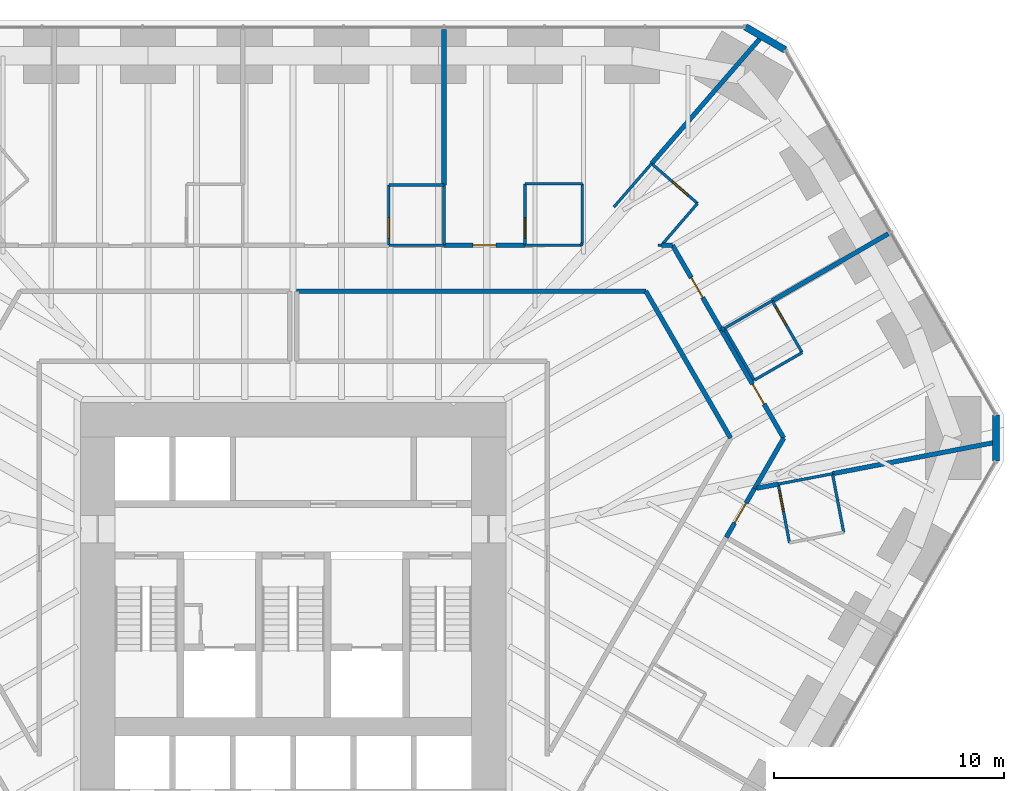
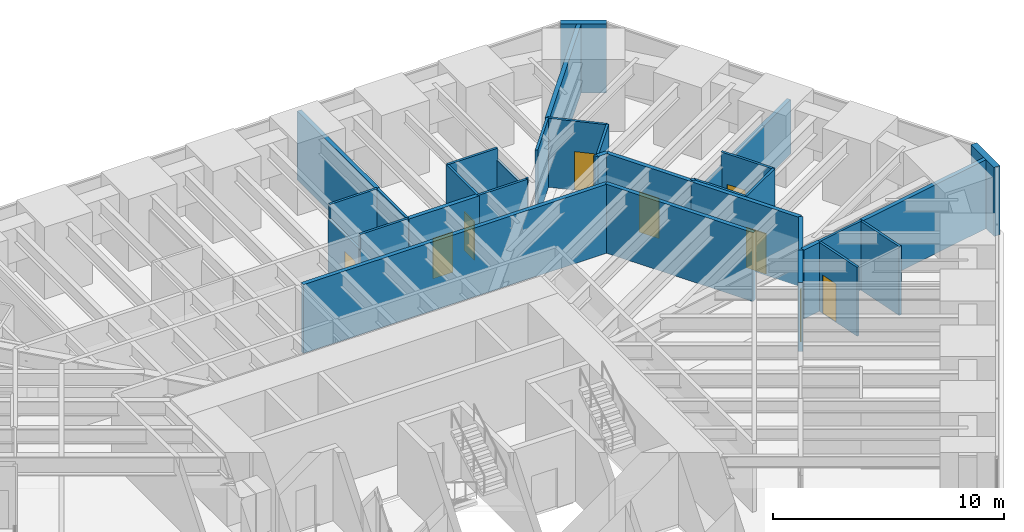
# One storey, part 15 of 17: 36 walls, 9 doors, 9 openings.
"""IFC4 building model written with IfcOpenShell, lengths in metres."""

from ifc_helpers import new_model, si_unit, direction, frame, frame_2d, origin, place, context, subcontext, project, spatial, rectangle, extrude, material, layer, layer_set, type_object, element, fill, save


model = new_model("IFC4")

# Units and contexts
model_context = context("Model", 3, precision=1e-05, world=origin(), true_north=direction((0.0, 1.0)))
body_context = subcontext(model_context, "Body", "Model", "MODEL_VIEW")
ifc_project = project(units=[si_unit("LENGTHUNIT", "METRE"), si_unit("AREAUNIT", "SQUARE_METRE"), si_unit("VOLUMEUNIT", "CUBIC_METRE"), si_unit("PLANEANGLEUNIT", "RADIAN"), si_unit("MASSUNIT", "GRAM", prefix="KILO")], contexts=[model_context])

# Site, building, storey
site_placement = place(None, origin())
site = spatial("IfcSite", under=ifc_project, at=site_placement, CompositionType="ELEMENT")
building_placement = place(site_placement, origin())
building = spatial("IfcBuilding", under=site, at=building_placement, Name="Sandreach Pilgrim Tower", CompositionType="ELEMENT")
storey_placement = place(building_placement, frame((0.0, 0.0, 38.199951171875)))
storey = spatial("IfcBuildingStorey", under=building, at=storey_placement, Name="L08", CompositionType="ELEMENT", Elevation=38.199951171875)

# Wall, opening, door
ifc_material_1 = material(Name="Moisture-resistant gypsum board on steel studs", Category="steel")
ifc_layer_1 = layer(ifc_material_1, 0.1201171875)
ifc_layer_set_1 = layer_set([ifc_layer_1], Name="Bathroom partition 120")
wall_type_1 = type_object("IfcWallType", Name="Bathroom partition 120", PredefinedType="PARTITIONING", material=ifc_layer_set_1)
wall_1_placement = place(storey_placement, frame((4.159912109375, 17.070068359375, 0.0), z_axis=(0.0, 0.0, 1.0), x_axis=(0.0, -1.0, 0.0)))
wall_1 = element("IfcWall", 1, at=wall_1_placement, inside=storey, type_object=wall_type_1, Name="Bathroom partition L08-078", PredefinedType="PARTITIONING", context=body_context, shape_type="SweptSolid", body=[
    extrude(rectangle(XDim=2.6201171875, YDim=0.1201171875, at=frame_2d((1.31005859375, 0.0))), origin(), (0.0, 0.0, 1.0), 2.8779296875),
])
opening_1_placement = place(wall_1_placement, frame((1.419921875, 0.0, 0.0)))
opening_1 = element("IfcOpeningElement", 2, at=opening_1_placement, cuts=wall_1, Name="Opening D09-03B", PredefinedType="OPENING", context=body_context, shape_type="SweptSolid", body=[
    extrude(rectangle(XDim=0.89990234375, YDim=2.030029296875, at=frame_2d((0.449951171875, 1.01513671875))), frame((0.0, 0.06005859375, 0.0), z_axis=(0.0, -1.0, 0.0), x_axis=(1.0, 0.0, 0.0)), (0.0, 0.0, 1.0), 0.1201171875),
])
ifc_material_2 = material(Name="Timber door, steel frame", Category="steel")
door_type_1 = type_object("IfcDoorType", Name="Bathroom door", OperationType="SINGLE_SWING_LEFT", PredefinedType="DOOR", material=ifc_material_2)
door_1_placement = place(opening_1_placement, origin())
door_1 = element("IfcDoor", 3, at=door_1_placement, inside=storey, type_object=door_type_1, Name="Door 0803B", OperationType="SINGLE_SWING_RIGHT", OverallHeight=2.030029296875, OverallWidth=0.89990234375, PredefinedType="DOOR", context=body_context, shape_type="SweptSolid", body=[
    extrude(rectangle(XDim=0.89990234375, YDim=2.030029296875, at=frame_2d((0.449951171875, 1.01513671875))), frame((0.0, 0.02490234375, 0.0), z_axis=(0.0, -1.0, 0.0), x_axis=(1.0, 0.0, 0.0)), (0.0, 0.0, 1.0), 0.050048828125),
])
fill(opening_1, door_1)

# Walls
for number, where, z_axis, x_axis, name in (
    (4, (6.56005859375, 14.449951171875, 0.0), (0.0, 0.0, 1.0), (-1.0, 0.0, 0.0), "Bathroom partition L08-083"),
    (5, (6.56005859375, 17.070068359375, 0.0), (0.0, 0.0, 1.0), (-1.0, 0.0, 0.0), "Bathroom partition L08-084"),
):
    element("IfcWall", number, at=place(storey_placement, frame(where, z_axis=z_axis, x_axis=x_axis)), inside=storey, type_object=wall_type_1, Name=name, PredefinedType="PARTITIONING", context=body_context, shape_type="SweptSolid", body=[
        extrude(rectangle(XDim=2.400146484375, YDim=0.1201171875, at=frame_2d((1.2001953125, 0.0))), origin(), (0.0, 0.0, 1.0), 3.64013671875),
    ])
wall_2_placement = place(storey_placement, frame((6.56005859375, 17.070068359375, 0.0), z_axis=(0.0, 0.0, 1.0), x_axis=(0.0, -1.0, 0.0)))
element("IfcWall", 6, at=wall_2_placement, inside=storey, type_object=wall_type_1, Name="Bathroom partition L08-085", PredefinedType="PARTITIONING", context=body_context, shape_type="SweptSolid", body=[
    extrude(rectangle(XDim=2.6201171875, YDim=0.1201171875, at=frame_2d((1.31005859375, 0.0))), origin(), (0.0, 0.0, 1.0), 3.64013671875),
])

# Wall, opening, door
wall_3_placement = place(storey_placement, frame((10.080078125, 17.1201171875, 0.0), z_axis=(0.0, 0.0, 1.0), x_axis=(0.0, -1.0, 0.0)))
wall_3 = element("IfcWall", 7, at=wall_3_placement, inside=storey, type_object=wall_type_1, Name="Bathroom partition L08-100", PredefinedType="PARTITIONING", context=body_context, shape_type="SweptSolid", body=[
    extrude(rectangle(XDim=2.670166015625, YDim=0.1201171875, at=frame_2d((1.3349609375, 0.0))), origin(), (0.0, 0.0, 1.0), 3.64013671875),
])
opening_2_placement = place(wall_3_placement, frame((1.469970703125, 0.0, 0.0)))
opening_2 = element("IfcOpeningElement", 8, at=opening_2_placement, cuts=wall_3, Name="Opening D09-04B", PredefinedType="OPENING", context=body_context, shape_type="SweptSolid", body=[
    extrude(rectangle(XDim=0.89990234375, YDim=2.030029296875, at=frame_2d((0.449951171875, 1.01513671875))), frame((0.0, 0.06005859375, 0.0), z_axis=(0.0, -1.0, 0.0), x_axis=(1.0, 0.0, 0.0)), (0.0, 0.0, 1.0), 0.1201171875),
])
door_2_placement = place(opening_2_placement, origin())
door_2 = element("IfcDoor", 9, at=door_2_placement, inside=storey, type_object=door_type_1, Name="Door 0804B", OperationType="SINGLE_SWING_RIGHT", OverallHeight=2.030029296875, OverallWidth=0.89990234375, PredefinedType="DOOR", context=body_context, shape_type="SweptSolid", body=[
    extrude(rectangle(XDim=0.89990234375, YDim=2.030029296875, at=frame_2d((0.449951171875, 1.01513671875))), frame((0.0, 0.02490234375, 0.0), z_axis=(0.0, -1.0, 0.0), x_axis=(1.0, 0.0, 0.0)), (0.0, 0.0, 1.0), 0.050048828125),
])
fill(opening_2, door_2)

# Walls
wall_4_placement = place(storey_placement, frame((12.510009765625, 14.449951171875, 0.0), z_axis=(0.0, 0.0, 1.0), x_axis=(-1.0, 0.0, 0.0)))
element("IfcWall", 10, at=wall_4_placement, inside=storey, type_object=wall_type_1, Name="Bathroom partition L08-112", PredefinedType="PARTITIONING", context=body_context, shape_type="SweptSolid", body=[
    extrude(rectangle(XDim=2.429931640625, YDim=0.1201171875, at=frame_2d((1.21484375, 0.0))), origin(), (0.0, 0.0, 1.0), 3.64013671875),
])
wall_5_placement = place(storey_placement, frame((12.580078125, 14.530029296875, 0.0), z_axis=(0.0, 0.0, 1.0), x_axis=(-0.658504607869, -0.752576694707, 0.0)))
element("IfcWall", 11, at=wall_5_placement, inside=storey, type_object=wall_type_1, Name="Bathroom partition L08-113", PredefinedType="PARTITIONING", context=body_context, shape_type="SweptSolid", body=[
    extrude(rectangle(XDim=0.1064453125, YDim=0.1201171875, at=frame_2d((0.05322265625, 0.0))), origin(), (0.0, 0.0, 1.0), 3.64013671875),
])
wall_6_placement = place(storey_placement, frame((12.580078125, 14.530029296875, 0.0), z_axis=(0.0, 0.0, 1.0), x_axis=(0.0, 1.0, 0.0)))
element("IfcWall", 12, at=wall_6_placement, inside=storey, type_object=wall_type_1, Name="Bathroom partition L08-114", PredefinedType="PARTITIONING", context=body_context, shape_type="SweptSolid", body=[
    extrude(rectangle(XDim=2.590087890625, YDim=0.1201171875, at=frame_2d((1.294921875, 0.0))), origin(), (0.0, 0.0, 1.0), 3.0380859375),
])
wall_7_placement = place(storey_placement, frame((12.580078125, 17.1201171875, 0.0), z_axis=(0.0, 0.0, 1.0), x_axis=(-1.0, 0.0, 0.0)))
element("IfcWall", 13, at=wall_7_placement, inside=storey, type_object=wall_type_1, Name="Bathroom partition L08-115", PredefinedType="PARTITIONING", context=body_context, shape_type="SweptSolid", body=[
    extrude(rectangle(XDim=2.5, YDim=0.1201171875, at=frame_2d((1.25, 0.0))), origin(), (0.0, 0.0, 1.0), 3.64013671875),
])
wall_8_placement = place(storey_placement, frame((13.949951171875, 16.10986328125, 0.0), z_axis=(0.0, 0.0, 1.0), x_axis=(0.655390967201, 0.75528979876, 0.0)))
element("IfcWall", 14, at=wall_8_placement, inside=storey, type_object=wall_type_1, Name="Bathroom partition L08-117", PredefinedType="PARTITIONING", context=body_context, shape_type="SweptSolid", body=[
    extrude(rectangle(XDim=2.50244140625, YDim=0.1201171875, at=frame_2d((1.251220703125, 0.0))), origin(), (0.0, 0.0, 1.0), 3.64013671875),
])
wall_9_placement = place(storey_placement, frame((16.02001953125, 14.449951171875, 0.0), z_axis=(0.0, 0.0, 1.0), x_axis=(-1.0, 0.0, 0.0)))
element("IfcWall", 15, at=wall_9_placement, inside=storey, type_object=wall_type_1, Name="Bathroom partition L08-123", PredefinedType="PARTITIONING", context=body_context, shape_type="SweptSolid", body=[
    extrude(rectangle(XDim=0.14990234375, YDim=0.1201171875, at=frame_2d((0.074951171875, 0.0))), origin(), (0.0, 0.0, 1.0), 3.64013671875),
])
wall_10_placement = place(storey_placement, frame((16.08203125, 14.52197265625, 0.0), z_axis=(0.0, 0.0, 1.0), x_axis=(0.653217802971, 0.757170061401, 0.0)))
element("IfcWall", 16, at=wall_10_placement, inside=storey, type_object=wall_type_1, Name="Bathroom partition L08-124", PredefinedType="PARTITIONING", context=body_context, shape_type="SweptSolid", body=[
    extrude(rectangle(XDim=2.30859375, YDim=0.1201171875, at=frame_2d((1.154296875, 0.0))), origin(), (0.0, 0.0, 1.0), 3.64013671875),
])

# Wall, opening, door
wall_11_placement = place(storey_placement, frame((17.590087890625, 16.27001953125, 0.0), z_axis=(0.0, 0.0, 1.0), x_axis=(-0.756316256301, 0.6542061758, 0.0)))
wall_11 = element("IfcWall", 17, at=wall_11_placement, inside=storey, type_object=wall_type_1, Name="Bathroom partition L08-130", PredefinedType="PARTITIONING", context=body_context, shape_type="SweptSolid", body=[
    extrude(rectangle(XDim=2.644287109375, YDim=0.1201171875, at=frame_2d((1.322265625, 0.0))), origin(), (0.0, 0.0, 1.0), 3.64013671875),
])
opening_3_placement = place(wall_11_placement, frame((0.550048828125, 0.0, 0.0)))
opening_3 = element("IfcOpeningElement", 18, at=opening_3_placement, cuts=wall_11, Name="Opening D09-05B", PredefinedType="OPENING", context=body_context, shape_type="SweptSolid", body=[
    extrude(rectangle(XDim=0.89990234375, YDim=2.030029296875, at=frame_2d((0.449951171875, 1.01513671875))), frame((0.0, 0.06005859375, 0.0), z_axis=(0.0, -1.0, 0.0), x_axis=(1.0, 0.0, 0.0)), (0.0, 0.0, 1.0), 0.1201171875),
])
door_3_placement = place(opening_3_placement, origin())
door_3 = element("IfcDoor", 19, at=door_3_placement, inside=storey, type_object=door_type_1, Name="Door 0805B", OperationType="SINGLE_SWING_LEFT", OverallHeight=2.030029296875, OverallWidth=0.89990234375, PredefinedType="DOOR", context=body_context, shape_type="SweptSolid", body=[
    extrude(rectangle(XDim=0.89990234375, YDim=2.030029296875, at=frame_2d((0.449951171875, 1.01513671875))), frame((0.0, 0.02490234375, 0.0), z_axis=(0.0, -1.0, 0.0), x_axis=(1.0, 0.0, 0.0)), (0.0, 0.0, 1.0), 0.050048828125),
])
fill(opening_3, door_3)

# Walls
wall_12_placement = place(storey_placement, frame((18.7578125, 10.833740234375, 0.0), z_axis=(0.0, 0.0, 1.0), x_axis=(0.865975636842, 0.500086188968, 0.0)))
element("IfcWall", 20, at=wall_12_placement, inside=storey, type_object=wall_type_1, Name="Bathroom partition L08-134", PredefinedType="PARTITIONING", context=body_context, shape_type="SweptSolid", body=[
    extrude(rectangle(XDim=2.4013671875, YDim=0.1201171875, at=frame_2d((1.20068359375, 0.0))), origin(), (0.0, 0.0, 1.0), 2.8603515625),
])
wall_13_placement = place(storey_placement, frame((18.760009765625, 10.830078125, 0.0), z_axis=(0.0, 0.0, 1.0), x_axis=(0.500291685314, -0.865856933682, 0.0)))
element("IfcWall", 21, at=wall_13_placement, inside=storey, type_object=wall_type_1, Name="Bathroom partition L08-135", PredefinedType="PARTITIONING", context=body_context, shape_type="SweptSolid", body=[
    extrude(rectangle(XDim=2.5986328125, YDim=0.1201171875, at=frame_2d((1.29931640625, 0.0))), origin(), (0.0, 0.0, 1.0), 3.64013671875),
])
wall_14_placement = place(storey_placement, frame((20.06005859375, 8.580078125, 0.0), z_axis=(0.0, 0.0, 1.0), x_axis=(0.866177122335, 0.499737123639, 0.0)))
element("IfcWall", 22, at=wall_14_placement, inside=storey, type_object=wall_type_1, Name="Bathroom partition L08-138", PredefinedType="PARTITIONING", context=body_context, shape_type="SweptSolid", body=[
    extrude(rectangle(XDim=2.401123046875, YDim=0.1201171875, at=frame_2d((1.20068359375, 0.0))), origin(), (0.0, 0.0, 1.0), 3.64013671875),
])

# Wall, opening, door
wall_15_placement = place(storey_placement, frame((21.10009765625, 4.06005859375, 0.0), z_axis=(0.0, 0.0, 1.0), x_axis=(0.188697442844, -0.982035271802, 0.0)))
wall_15 = element("IfcWall", 23, at=wall_15_placement, inside=storey, type_object=wall_type_1, Name="Bathroom partition L08-142", PredefinedType="PARTITIONING", context=body_context, shape_type="SweptSolid", body=[
    extrude(rectangle(XDim=2.5966796875, YDim=0.1201171875, at=frame_2d((1.29833984375, 0.0))), origin(), (0.0, 0.0, 1.0), 3.64013671875),
])
opening_4_placement = place(wall_15_placement, frame((0.300048828125, 0.0, 0.0)))
opening_4 = element("IfcOpeningElement", 24, at=opening_4_placement, cuts=wall_15, Name="Opening D09-07B", PredefinedType="OPENING", context=body_context, shape_type="SweptSolid", body=[
    extrude(rectangle(XDim=0.89990234375, YDim=2.030029296875, at=frame_2d((0.449951171875, 1.01513671875))), frame((0.0, 0.06005859375, 0.0), z_axis=(0.0, -1.0, 0.0), x_axis=(1.0, 0.0, 0.0)), (0.0, 0.0, 1.0), 0.1201171875),
])
door_4_placement = place(opening_4_placement, origin())
door_4 = element("IfcDoor", 25, at=door_4_placement, inside=storey, type_object=door_type_1, Name="Door 0807B", OperationType="SINGLE_SWING_LEFT", OverallHeight=2.030029296875, OverallWidth=0.89990234375, PredefinedType="DOOR", context=body_context, shape_type="SweptSolid", body=[
    extrude(rectangle(XDim=0.89990234375, YDim=2.030029296875, at=frame_2d((0.449951171875, 1.01513671875))), frame((0.0, 0.02490234375, 0.0), z_axis=(0.0, -1.0, 0.0), x_axis=(1.0, 0.0, 0.0)), (0.0, 0.0, 1.0), 0.050048828125),
])
fill(opening_4, door_4)

# Wall
wall_16_placement = place(storey_placement, frame((21.099853515625, 4.06005859375, 0.0), z_axis=(0.0, 0.0, 1.0), x_axis=(0.982307423658, 0.187275533444, 0.0)))
element("IfcWall", 26, at=wall_16_placement, inside=storey, type_object=wall_type_1, Name="Bathroom partition L08-143", PredefinedType="PARTITIONING", context=body_context, shape_type="SweptSolid", body=[
    extrude(rectangle(XDim=2.402587890625, YDim=0.1201171875, at=frame_2d((1.201171875, 0.0))), origin(), (0.0, 0.0, 1.0), 3.64013671875),
])

# Wall, opening, door
wall_17_placement = place(storey_placement, frame((22.139892578125, 9.780029296875, 0.0), z_axis=(0.0, 0.0, 1.0), x_axis=(-0.500221244143, 0.865897630733, 0.0)))
wall_17 = element("IfcWall", 27, at=wall_17_placement, inside=storey, type_object=wall_type_1, Name="Bathroom partition L08-145", PredefinedType="PARTITIONING", context=body_context, shape_type="SweptSolid", body=[
    extrude(rectangle(XDim=2.598388671875, YDim=0.1201171875, at=frame_2d((1.29931640625, 0.0))), origin(), (0.0, 0.0, 1.0), 3.64013671875),
])
opening_5_placement = place(wall_17_placement, frame((1.398681640625, 0.0, 0.0)))
opening_5 = element("IfcOpeningElement", 28, at=opening_5_placement, cuts=wall_17, Name="Opening D09-06B", PredefinedType="OPENING", context=body_context, shape_type="SweptSolid", body=[
    extrude(rectangle(XDim=0.89990234375, YDim=2.030029296875, at=frame_2d((0.449951171875, 1.01513671875))), frame((0.0, 0.06005859375, 0.0), z_axis=(0.0, -1.0, 0.0), x_axis=(1.0, 0.0, 0.0)), (0.0, 0.0, 1.0), 0.1201171875),
])
door_5_placement = place(opening_5_placement, origin())
door_5 = element("IfcDoor", 29, at=door_5_placement, inside=storey, type_object=door_type_1, Name="Door 0806B", OperationType="SINGLE_SWING_RIGHT", OverallHeight=2.030029296875, OverallWidth=0.89990234375, PredefinedType="DOOR", context=body_context, shape_type="SweptSolid", body=[
    extrude(rectangle(XDim=0.89990234375, YDim=2.030029296875, at=frame_2d((0.449951171875, 1.01513671875))), frame((0.0, 0.02490234375, 0.0), z_axis=(0.0, -1.0, 0.0), x_axis=(1.0, 0.0, 0.0)), (0.0, 0.0, 1.0), 0.050048828125),
])
fill(opening_5, door_5)

# Walls
wall_18_placement = place(storey_placement, frame((23.949951171875, 1.9599609375, 0.0), z_axis=(0.0, 0.0, 1.0), x_axis=(-0.188697442844, 0.982035271802, 0.0)))
element("IfcWall", 30, at=wall_18_placement, inside=storey, type_object=wall_type_1, Name="Bathroom partition L08-147", PredefinedType="PARTITIONING", context=body_context, shape_type="SweptSolid", body=[
    extrude(rectangle(XDim=2.5966796875, YDim=0.1201171875, at=frame_2d((1.29833984375, 0.0))), origin(), (0.0, 0.0, 1.0), 3.64013671875),
])
ifc_material_3 = material(Name="Gypsum board on steel studs, two layers each side", Category="steel")
ifc_layer_2 = layer(ifc_material_3, 0.199951171875)
ifc_layer_set_2 = layer_set([ifc_layer_2], Name="Corridor wall 200")
wall_type_2 = type_object("IfcWallType", Name="Corridor wall 200", PredefinedType="PARTITIONING", material=ifc_layer_set_2)
wall_19_placement = place(storey_placement, frame((0.14990234375, 12.449951171875, 0.0), z_axis=(0.0, 0.0, 1.0), x_axis=(1.0, 0.0, 0.0)))
element("IfcWall", 31, at=wall_19_placement, inside=storey, type_object=wall_type_2, Name="Corridor wall L08-071", PredefinedType="PARTITIONING", context=body_context, shape_type="SweptSolid", body=[
    extrude(rectangle(XDim=15.190185546875, YDim=0.199951171875, at=frame_2d((7.59521484375, 0.0))), origin(), (0.0, 0.0, 1.0), 3.64013671875),
])

# Wall, opening, door
wall_20_placement = place(storey_placement, frame((10.080078125, 14.449951171875, 0.0), z_axis=(0.0, 0.0, 1.0), x_axis=(-1.0, 0.0, 0.0)))
wall_20 = element("IfcWall", 32, at=wall_20_placement, inside=storey, type_object=wall_type_2, Name="Corridor wall L08-099", PredefinedType="PARTITIONING", context=body_context, shape_type="SweptSolid", body=[
    extrude(rectangle(XDim=3.52001953125, YDim=0.199951171875, at=frame_2d((1.760009765625, 0.0))), origin(), (0.0, 0.0, 1.0), 3.64013671875),
])
opening_6_placement = place(wall_20_placement, frame((1.260009765625, 0.0, 0.0)))
opening_6 = element("IfcOpeningElement", 33, at=opening_6_placement, cuts=wall_20, Name="Opening D10-04", PredefinedType="OPENING", context=body_context, shape_type="SweptSolid", body=[
    extrude(rectangle(XDim=1.0, YDim=2.1298828125, at=frame_2d((0.5, 1.06494140625))), frame((0.0, 0.10009765625, 0.0), z_axis=(0.0, -1.0, 0.0), x_axis=(1.0, 0.0, 0.0)), (0.0, 0.0, 1.0), 0.199951171875),
])
ifc_material_4 = material(Name="Steel door and frame", Category="steel")
door_type_2 = type_object("IfcDoorType", Name="Guest room entry door", OperationType="SINGLE_SWING_LEFT", PredefinedType="DOOR", material=ifc_material_4)
door_6_placement = place(opening_6_placement, origin())
door_6 = element("IfcDoor", 34, at=door_6_placement, inside=storey, type_object=door_type_2, Name="Door 0804", OperationType="SINGLE_SWING_LEFT", OverallHeight=2.1298828125, OverallWidth=1.0, PredefinedType="DOOR", context=body_context, shape_type="SweptSolid", body=[
    extrude(rectangle(XDim=1.0, YDim=2.1298828125, at=frame_2d((0.5, 1.06494140625))), frame((0.0, 0.02490234375, 0.0), z_axis=(0.0, -1.0, 0.0), x_axis=(1.0, 0.0, 0.0)), (0.0, 0.0, 1.0), 0.050048828125),
])
fill(opening_6, door_6)

# Walls
wall_21_placement = place(storey_placement, frame((15.340087890625, 12.449951171875, 0.0), z_axis=(0.0, 0.0, 1.0), x_axis=(0.500074726567, -0.865982256082, 0.0)))
element("IfcWall", 35, at=wall_21_placement, inside=storey, type_object=wall_type_2, Name="Corridor wall L08-120", PredefinedType="PARTITIONING", context=body_context, shape_type="SweptSolid", body=[
    extrude(rectangle(XDim=7.378662109375, YDim=0.199951171875, at=frame_2d((3.689453125, 0.0))), origin(), (0.0, 0.0, 1.0), 3.64013671875),
])
wall_22_placement = place(storey_placement, frame((16.5, 14.449951171875, 0.0), z_axis=(0.0, 0.0, 1.0), x_axis=(-1.0, 0.0, 0.0)))
element("IfcWall", 36, at=wall_22_placement, inside=storey, type_object=wall_type_2, Name="Corridor wall L08-125", PredefinedType="PARTITIONING", context=body_context, shape_type="SweptSolid", body=[
    extrude(rectangle(XDim=0.47998046875, YDim=0.199951171875, at=frame_2d((0.239990234375, 0.0))), origin(), (0.0, 0.0, 1.0), 3.64013671875),
])

# Wall, opening, door
wall_23_placement = place(storey_placement, frame((16.5, 14.449951171875, 0.0), z_axis=(0.0, 0.0, 1.0), x_axis=(0.499689380994, -0.866204665493, 0.0)))
wall_23 = element("IfcWall", 37, at=wall_23_placement, inside=storey, type_object=wall_type_2, Name="Corridor wall L08-126", PredefinedType="PARTITIONING", context=body_context, shape_type="SweptSolid", body=[
    extrude(rectangle(XDim=4.260498046875, YDim=0.199951171875, at=frame_2d((2.13037109375, 0.0))), origin(), (0.0, 0.0, 1.0), 3.64013671875),
])
opening_7_placement = place(wall_23_placement, frame((1.63037109375, 0.0, 0.0)))
opening_7 = element("IfcOpeningElement", 38, at=opening_7_placement, cuts=wall_23, Name="Opening D10-05", PredefinedType="OPENING", context=body_context, shape_type="SweptSolid", body=[
    extrude(rectangle(XDim=1.0, YDim=2.1298828125, at=frame_2d((0.5, 1.06494140625))), frame((0.0, 0.10009765625, 0.0), z_axis=(0.0, -1.0, 0.0), x_axis=(1.0, 0.0, 0.0)), (0.0, 0.0, 1.0), 0.199951171875),
])
door_7_placement = place(opening_7_placement, origin())
door_7 = element("IfcDoor", 39, at=door_7_placement, inside=storey, type_object=door_type_2, Name="Door 0805", OperationType="SINGLE_SWING_LEFT", OverallHeight=2.1298828125, OverallWidth=1.0, PredefinedType="DOOR", context=body_context, shape_type="SweptSolid", body=[
    extrude(rectangle(XDim=1.0, YDim=2.1298828125, at=frame_2d((0.5, 1.06494140625))), frame((0.0, 0.02490234375, 0.0), z_axis=(0.0, -1.0, 0.0), x_axis=(1.0, 0.0, 0.0)), (0.0, 0.0, 1.0), 0.050048828125),
])
fill(opening_7, door_7)

wall_24_placement = place(storey_placement, frame((18.62890625, 10.759521484375, 0.0), z_axis=(0.0, 0.0, 1.0), x_axis=(0.499715960807, -0.866189331794, 0.0)))
wall_24 = element("IfcWall", 40, at=wall_24_placement, inside=storey, type_object=wall_type_2, Name="Corridor wall L08-132", PredefinedType="PARTITIONING", context=body_context, shape_type="SweptSolid", body=[
    extrude(rectangle(XDim=5.425537109375, YDim=0.199951171875, at=frame_2d((2.712890625, 0.0))), origin(), (0.0, 0.0, 1.0), 3.64013671875),
])
opening_8_placement = place(wall_24_placement, frame((2.712646484375, 0.0, 0.0)))
opening_8 = element("IfcOpeningElement", 41, at=opening_8_placement, cuts=wall_24, Name="Opening D10-06", PredefinedType="OPENING", context=body_context, shape_type="SweptSolid", body=[
    extrude(rectangle(XDim=1.0, YDim=2.1298828125, at=frame_2d((0.5, 1.06494140625))), frame((0.0, 0.10009765625, 0.0), z_axis=(0.0, -1.0, 0.0), x_axis=(1.0, 0.0, 0.0)), (0.0, 0.0, 1.0), 0.199951171875),
])
door_8_placement = place(opening_8_placement, origin())
door_8 = element("IfcDoor", 42, at=door_8_placement, inside=storey, type_object=door_type_2, Name="Door 0806", OperationType="SINGLE_SWING_RIGHT", OverallHeight=2.1298828125, OverallWidth=1.0, PredefinedType="DOOR", context=body_context, shape_type="SweptSolid", body=[
    extrude(rectangle(XDim=1.0, YDim=2.1298828125, at=frame_2d((0.5, 1.06494140625))), frame((0.0, 0.02490234375, 0.0), z_axis=(0.0, -1.0, 0.0), x_axis=(1.0, 0.0, 0.0)), (0.0, 0.0, 1.0), 0.050048828125),
])
fill(opening_8, door_8)

wall_25_placement = place(storey_placement, frame((18.840087890625, 1.739990234375, 0.0), z_axis=(0.0, 0.0, 1.0), x_axis=(0.500348958043, 0.865823839003, 0.0)))
wall_25 = element("IfcWall", 43, at=wall_25_placement, inside=storey, type_object=wall_type_2, Name="Corridor wall L08-136", PredefinedType="PARTITIONING", context=body_context, shape_type="SweptSolid", body=[
    extrude(rectangle(XDim=2.450927734375, YDim=0.199951171875, at=frame_2d((1.2255859375, 0.0))), origin(), (0.0, 0.0, 1.0), 3.64013671875),
])
opening_9_placement = place(wall_25_placement, frame((0.7255859375, 0.0, 0.0)))
opening_9 = element("IfcOpeningElement", 44, at=opening_9_placement, cuts=wall_25, Name="Opening D10-07", PredefinedType="OPENING", context=body_context, shape_type="SweptSolid", body=[
    extrude(rectangle(XDim=1.0, YDim=2.1298828125, at=frame_2d((0.5, 1.06494140625))), frame((0.0, 0.10009765625, 0.0), z_axis=(0.0, -1.0, 0.0), x_axis=(1.0, 0.0, 0.0)), (0.0, 0.0, 1.0), 0.199951171875),
])
door_9_placement = place(opening_9_placement, origin())
door_9 = element("IfcDoor", 45, at=door_9_placement, inside=storey, type_object=door_type_2, Name="Door 0807", OperationType="SINGLE_SWING_LEFT", OverallHeight=2.1298828125, OverallWidth=1.0, PredefinedType="DOOR", context=body_context, shape_type="SweptSolid", body=[
    extrude(rectangle(XDim=1.0, YDim=2.1298828125, at=frame_2d((0.5, 1.06494140625))), frame((0.0, 0.02490234375, 0.0), z_axis=(0.0, -1.0, 0.0), x_axis=(1.0, 0.0, 0.0)), (0.0, 0.0, 1.0), 0.050048828125),
])
fill(opening_9, door_9)

# Walls
wall_26_placement = place(storey_placement, frame((20.070068359375, 3.860107421875, 0.0), z_axis=(0.0, 0.0, 1.0), x_axis=(0.499963722229, 0.866046347752, 0.0)))
element("IfcWall", 46, at=wall_26_placement, inside=storey, type_object=wall_type_2, Name="Corridor wall L08-139", PredefinedType="PARTITIONING", context=body_context, shape_type="SweptSolid", body=[
    extrude(rectangle(XDim=2.540283203125, YDim=0.199951171875, at=frame_2d((1.27001953125, 0.0))), origin(), (0.0, 0.0, 1.0), 3.64013671875),
])
ifc_material_5 = material(Name="Double steel stud acoustic wall, gypsum board", Category="steel")
ifc_layer_3 = layer(ifc_material_5, 0.199951171875)
ifc_layer_set_3 = layer_set([ifc_layer_3], Name="Party wall 200")
wall_type_3 = type_object("IfcWallType", Name="Party wall 200", PredefinedType="PARTITIONING", material=ifc_layer_set_3)
wall_27_placement = place(storey_placement, frame((6.56005859375, 23.830078125, 0.0), z_axis=(0.0, 0.0, 1.0), x_axis=(0.0, -1.0, 0.0)))
element("IfcWall", 47, at=wall_27_placement, inside=storey, type_object=wall_type_3, Name="Party wall L08-086", PredefinedType="PARTITIONING", context=body_context, shape_type="SweptSolid", body=[
    extrude(rectangle(XDim=6.760009765625, YDim=0.199951171875, at=frame_2d((3.3798828125, 0.0))), origin(), (0.0, 0.0, 1.0), 3.64013671875),
])
wall_28_placement = place(storey_placement, frame((15.590087890625, 18.0, 0.0), z_axis=(0.0, 0.0, 1.0), x_axis=(0.655131789558, 0.755514618197, 0.0)))
element("IfcWall", 48, at=wall_28_placement, inside=storey, type_object=wall_type_3, Name="Party wall L08-121", PredefinedType="PARTITIONING", context=body_context, shape_type="SweptSolid", body=[
    extrude(rectangle(XDim=7.342529296875, YDim=0.199951171875, at=frame_2d((3.67138671875, 0.0))), origin(), (0.0, 0.0, 1.0), 3.64013671875),
])
wall_29_placement = place(storey_placement, frame((18.638671875, 10.764892578125, 0.0), z_axis=(0.0, 0.0, 1.0), x_axis=(0.865830913258, 0.500336716268, 0.0)))
element("IfcWall", 49, at=wall_29_placement, inside=storey, type_object=wall_type_3, Name="Party wall L08-133", PredefinedType="PARTITIONING", context=body_context, shape_type="SweptSolid", body=[
    extrude(rectangle(XDim=0.1376953125, YDim=0.199951171875, at=frame_2d((0.06884765625, 0.0))), origin(), (0.0, 0.0, 1.0), 3.64013671875),
])
wall_30_placement = place(storey_placement, frame((20.173095703125, 3.880126953125, 0.0), z_axis=(0.0, 0.0, 1.0), x_axis=(0.981669186859, 0.19059277943, 0.0)))
element("IfcWall", 50, at=wall_30_placement, inside=storey, type_object=wall_type_3, Name="Party wall L08-140", PredefinedType="PARTITIONING", context=body_context, shape_type="SweptSolid", body=[
    extrude(rectangle(XDim=0.944091796875, YDim=0.199951171875, at=frame_2d((0.47216796875, 0.0))), origin(), (0.0, 0.0, 1.0), 3.64013671875),
])
wall_31_placement = place(storey_placement, frame((20.840087890625, 12.030029296875, 0.0), z_axis=(0.0, 0.0, 1.0), x_axis=(0.865529484494, 0.50085797535, 0.0)))
element("IfcWall", 51, at=wall_31_placement, inside=storey, type_object=wall_type_3, Name="Party wall L08-141", PredefinedType="PARTITIONING", context=body_context, shape_type="SweptSolid", body=[
    extrude(rectangle(XDim=5.829833984375, YDim=0.199951171875, at=frame_2d((2.9150390625, 0.0))), origin(), (0.0, 0.0, 1.0), 2.8603515625),
])
wall_32_placement = place(storey_placement, frame((23.4599609375, 4.510009765625, 0.0), z_axis=(0.0, 0.0, 1.0), x_axis=(0.981929870864, 0.189245155035, 0.0)))
element("IfcWall", 52, at=wall_32_placement, inside=storey, type_object=wall_type_3, Name="Party wall L08-146", PredefinedType="PARTITIONING", context=body_context, shape_type="SweptSolid", body=[
    extrude(rectangle(XDim=7.26171875, YDim=0.199951171875, at=frame_2d((3.630859375, 0.0))), origin(), (0.0, 0.0, 1.0), 3.64013671875),
])
ifc_material_6 = material(Name="Terracotta rainscreen on concrete", Category="masonry")
ifc_layer_4 = layer(ifc_material_6, 0.300048828125)
ifc_layer_set_4 = layer_set([ifc_layer_4], Name="Terracotta chamfer pier")
wall_type_4 = type_object("IfcWallType", Name="Terracotta chamfer pier", PredefinedType="SOLIDWALL", material=ifc_layer_set_4)
for number, where, z_axis, x_axis, name in (
    (53, (19.672119140625, 23.94873046875, 0.0), (0.0, 0.0, 1.0), (0.866010750942, -0.50002537861, 0.0), "Chamfer pier L08 N"),
    (54, (30.576171875, 7.062255859375, 0.0), (0.0, 0.0, 1.0), (0.0, -1.0, 0.0), "Chamfer pier L08 NE"),
):
    element("IfcWall", number, at=place(storey_placement, frame(where, z_axis=z_axis, x_axis=x_axis)), inside=storey, type_object=wall_type_4, Name=name, PredefinedType="SOLIDWALL", context=body_context, shape_type="SweptSolid", body=[
        extrude(rectangle(XDim=2.0, YDim=0.300048828125, at=frame_2d((1.0, 0.0))), origin(), (0.0, 0.0, 1.0), 3.64013671875),
    ])

save(model, "model.ifc")
